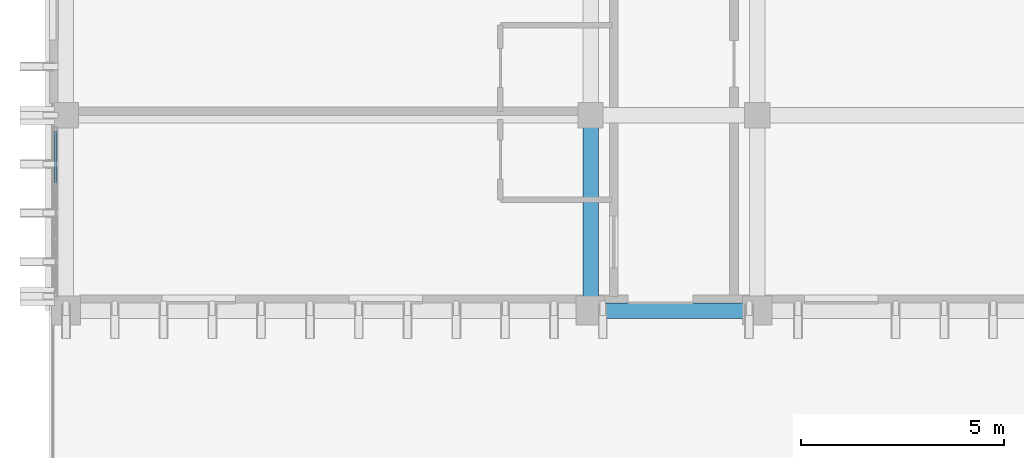
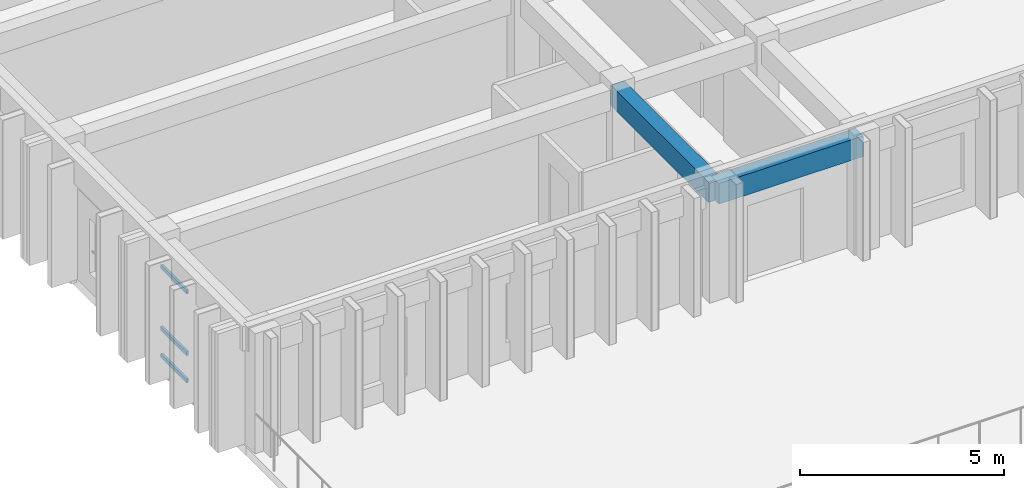
# One storey, part 3 of 59: 3 members, 2 beams, 1 element without a shape of its own.
"""IFC4 building model written with IfcOpenShell, lengths in metres."""

import ifcopenshell
import ifcopenshell.guid

model = None  # the IFC model being written
_history = None  # IfcOwnerHistory: only IFC2X3 demands one
_inside = {}  # id of a spatial element -> (the spatial element, [elements in it])
_under = {}  # id of a project, library or spatial element -> (it, [spatial elements below it])
_declared = {}  # id of a project -> (the project, [libraries it declares])
_typed = {}  # id of a type object -> (the type object, [elements of that type])
_made_of = {}  # id of a material, layer set ... -> (it, [elements and type objects made of it])


def new_model(schema):
    """Start an empty IFC model of exactly this schema.

    Asked for "IFC4X3", IfcOpenShell would pick the latest addendum, in which some entities
    have other attributes; the version numbers below select the first issue.
    IFC2X3 requires an IfcOwnerHistory on every rooted entity: one is made here for all.
    """
    global model, _history
    if schema == "IFC4X3":
        model = ifcopenshell.file(schema_version=(4, 3, 0, 0))
    else:
        model = ifcopenshell.file(schema=schema)
    _inside.clear()
    _under.clear()
    _declared.clear()
    _typed.clear()
    _made_of.clear()
    _history = None
    if model.schema == "IFC2X3":
        org = make("IfcOrganization", Name="unknown")
        user = make(
            "IfcPersonAndOrganization",
            ThePerson=make("IfcPerson", FamilyName="unknown"),
            TheOrganization=org,
        )
        app = make(
            "IfcApplication",
            ApplicationDeveloper=org,
            Version="unknown",
            ApplicationFullName="unknown",
            ApplicationIdentifier="unknown",
        )
        _history = make(
            "IfcOwnerHistory",
            OwningUser=user,
            OwningApplication=app,
            ChangeAction="ADDED",
            CreationDate=0,
        )
    return model


def make(cls, **values):
    """One entity of the class cls with the attributes given. An attribute that is None is left unset."""
    return model.create_entity(
        cls, **{name: value for name, value in values.items() if value is not None}
    )


def rooted(cls, **values):
    """An entity with a GlobalId (a new one), such as an element, a storey or a relation."""
    return make(cls, GlobalId=ifcopenshell.guid.new(), OwnerHistory=_history, **values)


def si_unit(unit_type, name, prefix=None):
    """IfcSIUnit, for example si_unit("LENGTHUNIT", "METRE", prefix="MILLI")."""
    return make("IfcSIUnit", UnitType=unit_type, Prefix=prefix, Name=name)


def assignment(units):
    """IfcUnitAssignment: the units of a project."""
    return None if units is None else make("IfcUnitAssignment", Units=units)


def point(xyz):
    """IfcCartesianPoint."""
    return None if xyz is None else make("IfcCartesianPoint", Coordinates=xyz)


def direction(xyz):
    """IfcDirection."""
    return None if xyz is None else make("IfcDirection", DirectionRatios=xyz)


def frame(location, z_axis=None, x_axis=None):
    """IfcAxis2Placement3D, a coordinate frame: its origin and axes. An axis left out is left unset."""
    return make(
        "IfcAxis2Placement3D",
        Location=point(location),
        Axis=direction(z_axis),
        RefDirection=direction(x_axis),
    )


def frame_2d(location, x_axis=None):
    """IfcAxis2Placement2D, a coordinate frame in the plane: its origin and x axis."""
    return make(
        "IfcAxis2Placement2D", Location=point(location), RefDirection=direction(x_axis)
    )


def origin():
    """The frame at (0, 0, 0) with its axes left unset."""
    return frame((0.0, 0.0, 0.0))


def origin_2d():
    """The frame at (0, 0) in the plane with its x axis left unset."""
    return frame_2d((0.0, 0.0))


def place(relative_to, where):
    """IfcLocalPlacement: puts the frame where relative to a parent placement (None: the world)."""
    return make(
        "IfcLocalPlacement", PlacementRelTo=relative_to, RelativePlacement=where
    )


def context(
    kind, dimensions, precision=None, world=None, true_north=None, identifier=None
):
    """IfcGeometricRepresentationContext, for example the 3D "Model" context."""
    return make(
        "IfcGeometricRepresentationContext",
        ContextIdentifier=identifier,
        ContextType=kind,
        CoordinateSpaceDimension=dimensions,
        Precision=precision,
        WorldCoordinateSystem=world,
        TrueNorth=true_north,
    )


def subcontext(parent, identifier, kind, view, scale=None):
    """IfcGeometricRepresentationSubContext, for example "Body" below "Model"."""
    return make(
        "IfcGeometricRepresentationSubContext",
        ContextIdentifier=identifier,
        ContextType=kind,
        ParentContext=parent,
        TargetScale=scale,
        TargetView=view,
    )


def project(units=None, contexts=None):
    """IfcProject with its units and contexts."""
    return rooted(
        "IfcProject",
        Name="project",
        RepresentationContexts=contexts,
        UnitsInContext=assignment(units),
    )


def spatial(cls, under=None, at=None, **own):
    """A site, building, storey or space (cls), placed at a placement, below another one or the project."""
    s = rooted(cls, ObjectPlacement=at, **own)
    if under is not None:
        _under.setdefault(under.id(), (under, []))[1].append(s)
    return s


def profile(cls, at=None, kind="AREA", **sizes):
    """A parametric profile (cls). Its sizes go by their IFC names, for example OverallWidth=200.0."""
    return make(cls, ProfileType=kind, Position=at, **sizes)


def rectangle(**sizes):
    """IfcRectangleProfileDef."""
    return profile("IfcRectangleProfileDef", **sizes)


def hollow_rectangle(**sizes):
    """IfcRectangleHollowProfileDef."""
    return profile("IfcRectangleHollowProfileDef", **sizes)


def extrude(swept, where, along, depth):
    """IfcExtrudedAreaSolid: the profile swept, set in the frame where, extruded along a direction by depth."""
    return make(
        "IfcExtrudedAreaSolid",
        SweptArea=swept,
        Position=where,
        ExtrudedDirection=direction(along),
        Depth=depth,
    )


def shape(context_of_items, identifier, shape_type, items):
    """IfcShapeRepresentation: the items that make up one representation, for example the "Body"."""
    return make(
        "IfcShapeRepresentation",
        ContextOfItems=context_of_items,
        RepresentationIdentifier=identifier,
        RepresentationType=shape_type,
        Items=items,
    )


def material(Name=None, Category=None):
    """IfcMaterial."""
    return make("IfcMaterial", Name=Name, Category=Category)


def layer(
    of_material, thickness, ventilated=None, Name=None, Category=None, Priority=None
):
    """IfcMaterialLayer: one layer of a wall or slab, of a material (None: an air gap)."""
    return make(
        "IfcMaterialLayer",
        Material=of_material,
        LayerThickness=thickness,
        IsVentilated=ventilated,
        Name=Name,
        Category=Category,
        Priority=Priority,
    )


def layer_set(layers, Name=None):
    """IfcMaterialLayerSet."""
    return make("IfcMaterialLayerSet", MaterialLayers=layers, LayerSetName=Name)


def material_profile(
    of_material, cross_section, Name=None, Category=None, Priority=None
):
    """IfcMaterialProfile: a cross section and its material."""
    return make(
        "IfcMaterialProfile",
        Name=Name,
        Material=of_material,
        Profile=cross_section,
        Priority=Priority,
        Category=Category,
    )


def profile_set(profiles, Name=None, composite=None):
    """IfcMaterialProfileSet."""
    return make(
        "IfcMaterialProfileSet",
        Name=Name,
        MaterialProfiles=profiles,
        CompositeProfile=composite,
    )


def made_of(thing, what):
    """Note that an element or type object is made of a material, layer set ...; save() writes the relation."""
    if what is not None:
        _made_of.setdefault(what.id(), (what, []))[1].append(thing)
    return thing


def type_object(cls, material=None, **own):
    """A type object (cls), such as IfcWallType, which elements share."""
    return made_of(rooted(cls, **own), material)


def element(
    cls,
    number,
    at=None,
    inside=None,
    cuts=None,
    type_object=None,
    material=None,
    context=None,
    identifier="Body",
    shape_type=None,
    held_by="IfcProductDefinitionShape",
    body=None,
    shapes=None,
    **own,
):
    """One element of the class cls, such as IfcWall. Its Tag is "e" and its number.

    at: its placement. inside: the storey or other place that contains it. cuts: it is an
    opening in that element (IfcRelVoidsElement). A single representation is given by context,
    identifier, shape_type and body (its items); several are given by shapes. held_by: the class
    of the entity that holds the representations. save() writes the other relations.
    """
    e = rooted(cls, Tag="e%d" % number, ObjectPlacement=at, **own)
    if body is not None:
        shapes = [shape(context, identifier, shape_type, body)]
    if shapes is not None:
        e.Representation = make(held_by, Representations=shapes)
    if inside is not None:
        _inside.setdefault(inside.id(), (inside, []))[1].append(e)
    if cuts is not None:
        rooted(
            "IfcRelVoidsElement", RelatingBuildingElement=cuts, RelatedOpeningElement=e
        )
    if type_object is not None:
        _typed.setdefault(type_object.id(), (type_object, []))[1].append(e)
    return made_of(e, material)


def aggregate(whole, parts):
    """IfcRelAggregates: a whole, such as a stair, and the parts it consists of."""
    return rooted("IfcRelAggregates", RelatingObject=whole, RelatedObjects=parts)


def save(model, path):
    """Write the relations noted so far, then the file.

    IfcRelAggregates (storeys below a building ...), IfcRelContainedInSpatialStructure (elements
    in a storey), IfcRelDefinesByType, IfcRelAssociatesMaterial and IfcRelDeclares: one each for
    every whole, place, type object, material and project.
    """
    for whole, parts in _under.values():
        aggregate(whole, parts)
    for where, things in _inside.values():
        rooted(
            "IfcRelContainedInSpatialStructure",
            RelatedElements=things,
            RelatingStructure=where,
        )
    for kind, things in _typed.values():
        rooted("IfcRelDefinesByType", RelatedObjects=things, RelatingType=kind)
    for what, things in _made_of.values():
        rooted("IfcRelAssociatesMaterial", RelatedObjects=things, RelatingMaterial=what)
    for by, libraries in _declared.values():
        rooted("IfcRelDeclares", RelatingContext=by, RelatedDefinitions=libraries)
    model.write(path)


model = new_model("IFC4")

# Units and contexts
model_context = context("Model", 3, precision=1e-05, world=origin(), true_north=direction((0.0, 1.0)))
body_context = subcontext(model_context, "Body", "Model", "MODEL_VIEW")
ifc_project = project(units=[si_unit("LENGTHUNIT", "METRE"), si_unit("AREAUNIT", "SQUARE_METRE"), si_unit("VOLUMEUNIT", "CUBIC_METRE"), si_unit("PLANEANGLEUNIT", "RADIAN"), si_unit("MASSUNIT", "GRAM", prefix="KILO")], contexts=[model_context])

# Site, building, storey
site_placement = place(None, origin())
site = spatial("IfcSite", under=ifc_project, at=site_placement, CompositionType="ELEMENT")
building_placement = place(site_placement, origin())
building = spatial("IfcBuilding", under=site, at=building_placement, Name="Nakhvara Creek Congress Hotel", CompositionType="ELEMENT")
storey_placement = place(building_placement, frame((0.0, 0.0, 31.800048828125)))
storey = spatial("IfcBuildingStorey", under=building, at=storey_placement, Name="L07", CompositionType="ELEMENT", Elevation=31.800048828125)

# Beams
ifc_material_1 = material(Name="Concrete C40/50", Category="concrete")
ifc_material_profile_1 = material_profile(ifc_material_1, rectangle(XDim=0.3798828125, YDim=0.6201171875, at=origin_2d()), Name="RC-BM 380x620", Category="LoadBearing")
ifc_profile_set_1 = profile_set([ifc_material_profile_1], Name="Concrete C40/50")
beam_type = type_object("IfcBeamType", Name="BM-RC-380X620", PredefinedType="BEAM", material=ifc_profile_set_1)
beam_1_placement = place(storey_placement, frame((162.35009765625, 48.0, 3.050048828125), z_axis=(1.0, 0.0, 0.0), x_axis=(0.0, 1.0, 0.0)))
element("IfcBeam", 1, at=beam_1_placement, inside=storey, type_object=beam_type, Name="Beam B10-L07-2341", PredefinedType="BEAM", context=body_context, shape_type="SweptSolid", body=[
    extrude(rectangle(XDim=0.3798828125, YDim=0.6201171875, at=origin_2d()), origin(), (0.0, 0.0, 1.0), 4.099853515625),
])
beam_2_placement = place(storey_placement, frame((162.35009765625, 48.0, 3.050048828125), z_axis=(0.0, 1.0, 0.0), x_axis=(-1.0, 0.0, 0.0)))
element("IfcBeam", 2, at=beam_2_placement, inside=storey, type_object=beam_type, Name="Beam B10-L07-2342", PredefinedType="BEAM", context=body_context, shape_type="SweptSolid", body=[
    extrude(rectangle(XDim=0.3798828125, YDim=0.6201171875, at=origin_2d()), origin(), (0.0, 0.0, 1.0), 4.800048828125),
])

# Curtain wall, members
ifc_material_2 = material(Name="Bronze-anodised aluminium AW-6063-T6 and double-silver low-E glass", Category="aluminium")
ifc_layer = layer(ifc_material_2, 0.199951171875)
ifc_layer_set = layer_set([ifc_layer], Name="Bronze-anodised aluminium AW-6063-T6 and double-silver low-E glass")
curtain_wall_type = type_object("IfcCurtainWallType", Name="CW-HTL-UNIT", PredefinedType="USERDEFINED", material=ifc_layer_set)
curtain_wall_placement = place(storey_placement, origin())
curtain_wall = element("IfcCurtainWall", 3, at=curtain_wall_placement, inside=storey, type_object=curtain_wall_type, Name="Curtain Wall CW254", ObjectType="UNITISED", PredefinedType="USERDEFINED")
ifc_material_3 = material(Name="Bronze-anodised aluminium AW-6063-T6", Category="aluminium")
ifc_material_profile_2 = material_profile(ifc_material_3, hollow_rectangle(XDim=0.06494140625, YDim=0.1201171875, WallThickness=0.00390625, at=origin_2d()), Name="ALU-TRAN 65x120x4", Category="LoadBearing")
ifc_profile_set_2 = profile_set([ifc_material_profile_2], Name="Bronze-anodised aluminium AW-6063-T6")
member_type = type_object("IfcMemberType", Name="CW-TRAN-120", PredefinedType="USERDEFINED", material=ifc_profile_set_2)
member_1_placement = place(storey_placement, frame((149.199951171875, 51.140869140625, 0.032470703125), z_axis=(0.0, 1.0, 0.0), x_axis=(-1.0, 0.0, 0.0)))
member_1 = element("IfcMember", 4, at=member_1_placement, type_object=member_type, Name="CW254 transom 3.1", ObjectType="TRANSOM", PredefinedType="USERDEFINED", context=body_context, shape_type="SweptSolid", body=[
    extrude(hollow_rectangle(XDim=0.06494140625, YDim=0.1201171875, WallThickness=0.00390625, at=origin_2d()), origin(), (0.0, 0.0, 1.0), 1.26904296875),
])
member_2_placement = place(storey_placement, frame((149.199951171875, 51.140869140625, 0.849853515625), z_axis=(0.0, 1.0, 0.0), x_axis=(-1.0, 0.0, 0.0)))
member_2 = element("IfcMember", 5, at=member_2_placement, type_object=member_type, Name="CW254 transom 3.2", ObjectType="TRANSOM", PredefinedType="USERDEFINED", context=body_context, shape_type="SweptSolid", body=[
    extrude(hollow_rectangle(XDim=0.06494140625, YDim=0.1201171875, WallThickness=0.00390625, at=origin_2d()), origin(), (0.0, 0.0, 1.0), 1.26904296875),
])
member_3_placement = place(storey_placement, frame((149.199951171875, 51.140869140625, 2.699462890625), z_axis=(0.0, 1.0, 0.0), x_axis=(-1.0, 0.0, 0.0)))
member_3 = element("IfcMember", 6, at=member_3_placement, type_object=member_type, Name="CW254 transom 3.3", ObjectType="TRANSOM", PredefinedType="USERDEFINED", context=body_context, shape_type="SweptSolid", body=[
    extrude(hollow_rectangle(XDim=0.06494140625, YDim=0.1201171875, WallThickness=0.00390625, at=origin_2d()), origin(), (0.0, 0.0, 1.0), 1.26904296875),
])
aggregate(curtain_wall, [member_1, member_2, member_3])

save(model, "model.ifc")
